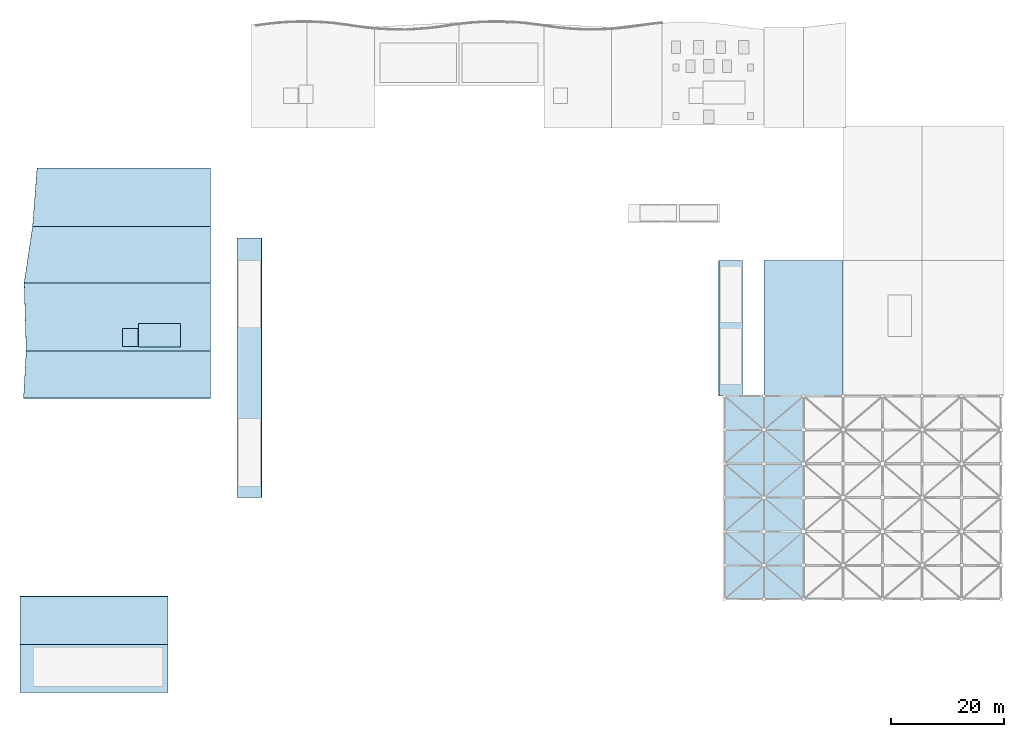
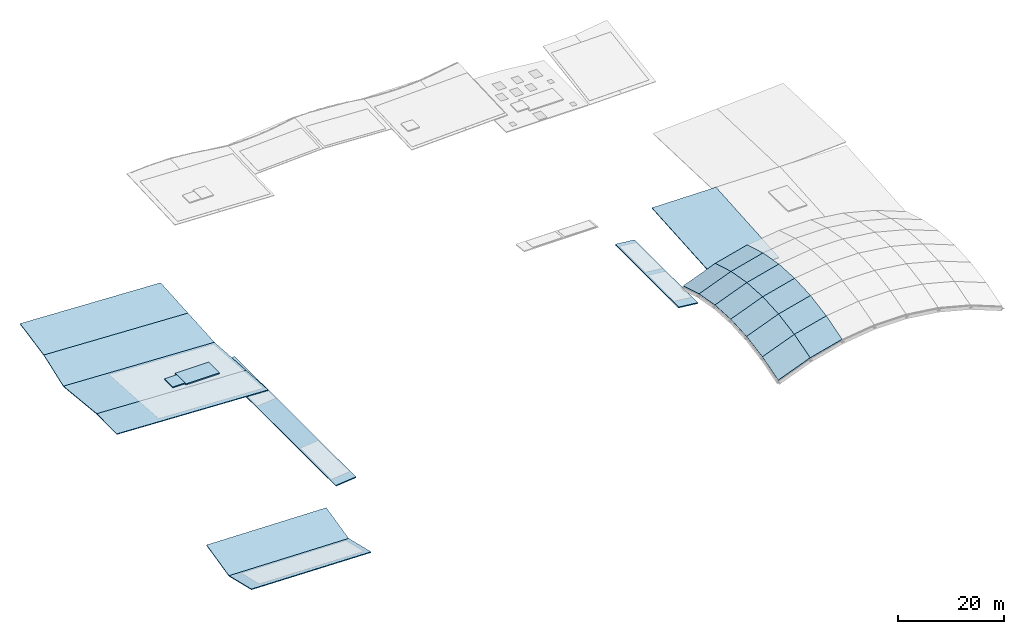
# One storey, part 3 of 11: 23 slabs.
"""IFC4 building model written with IfcOpenShell, lengths in metres."""

from ifc_helpers import new_model, si_unit, direction, frame, origin, place, context, subcontext, project, spatial, polyline, outline, extrude, material, layer, layer_set, type_object, element, save


model = new_model("IFC4")

# Units and contexts
model_context = context("Model", 3, precision=1e-05, world=origin(), true_north=direction((0.0, 1.0)))
body_context = subcontext(model_context, "Body", "Model", "MODEL_VIEW")
ifc_project = project(units=[si_unit("LENGTHUNIT", "METRE"), si_unit("AREAUNIT", "SQUARE_METRE"), si_unit("VOLUMEUNIT", "CUBIC_METRE"), si_unit("PLANEANGLEUNIT", "RADIAN"), si_unit("MASSUNIT", "GRAM", prefix="KILO")], contexts=[model_context])

# Site, building, storey
site_placement = place(None, origin())
site = spatial("IfcSite", under=ifc_project, at=site_placement, CompositionType="ELEMENT")
building_placement = place(site_placement, origin())
building = spatial("IfcBuilding", under=site, at=building_placement, Name="Tonlespit Floodbar School", CompositionType="ELEMENT")
storey_placement = place(building_placement, frame((0.0, 0.0, 24.0)))
storey = spatial("IfcBuildingStorey", under=building, at=storey_placement, Name="RF", CompositionType="ELEMENT", Elevation=24.0)

# Slabs
ifc_material = material(Name="CLT C24", Category="wood")
ifc_layer_1 = layer(ifc_material, 0.23193359375)
ifc_layer_set_1 = layer_set([ifc_layer_1], Name="CLT C24")
slab_type_1 = type_object("IfcSlabType", Name="Slab_Canopy_CLT_140", PredefinedType="ROOF", material=ifc_layer_set_1)
slab_1_placement = place(storey_placement, frame((40.60009765625, 38.0, -19.26806640625), z_axis=(-0.101733324516, 0.0, 0.994811706145), x_axis=(0.994811706145, 0.0, 0.101733324516)))
element("IfcSlab", 1, at=slab_1_placement, inside=storey, type_object=slab_type_1, Name="V5 west square raked colonnade canopy", PredefinedType="ROOF", context=body_context, shape_type="SweptSolid", body=[
    extrude(outline(polyline([(0.0, 0.0), (4.422849386041586, 0.0), (4.422849386041586, 46.0), (0.0, 46.0), (0.0, 0.0)])), origin(), (0.0, 0.0, -1.0), 0.23193359375),
])
slab_2_placement = place(storey_placement, frame((126.0, 56.0, -18.818115234375), z_axis=(0.106522919579, 0.0, 0.994310247159), x_axis=(0.994310247159, 0.0, -0.106522919579)))
element("IfcSlab", 2, at=slab_2_placement, inside=storey, type_object=slab_type_1, Name="V5 east hall raked colonnade canopy", PredefinedType="ROOF", context=body_context, shape_type="SweptSolid", body=[
    extrude(outline(polyline([(0.0, 0.0), (4.223984600256714, 0.0), (4.223984600256714, 24.0), (0.0, 24.0), (0.0, 0.0)])), origin(), (0.0, 0.0, -1.0), 0.23193359375),
])
ifc_layer_2 = layer(ifc_material, 0.14990234375)
ifc_layer_set_2 = layer_set([ifc_layer_2], Name="CLT C24")
slab_type_2 = type_object("IfcSlabType", Name="Slab_Gridshell_CLT_150", PredefinedType="ROOF", material=ifc_layer_set_2)
slab_3_placement = place(storey_placement, frame((127.0, 20.0, -14.25), z_axis=(-0.351697863242, -0.265946400844, 0.89754171205), x_axis=(0.931071633846, 0.0, 0.364836419024)))
element("IfcSlab", 3, at=slab_3_placement, inside=storey, type_object=slab_type_2, Name="Gridshell roof cassette 1-1", PredefinedType="ROOF", context=body_context, shape_type="SweptSolid", body=[
    extrude(outline(polyline([(0.0, 0.0), (7.518218518892542, 0.0), (8.166836390800507, 6.224145048725977), (0.6486178719079637, 6.224145048725977), (0.0, 0.0)])), origin(), (0.0, 0.0, -1.0), 0.14990234375),
])
slab_4_placement = place(storey_placement, frame((127.0, 26.0, -12.47216796875), z_axis=(-0.359939055521, -0.163299453123, 0.918573440134), x_axis=(0.931071633846, 0.0, 0.364836419024)))
element("IfcSlab", 4, at=slab_4_placement, inside=storey, type_object=slab_type_2, Name="Gridshell roof cassette 1-2", PredefinedType="ROOF", context=body_context, shape_type="SweptSolid", body=[
    extrude(outline(polyline([(0.0, 0.0), (7.518218518892542, 0.0), (7.907371427759048, 6.081636545317487), (0.38915290886650555, 6.081636545317487), (0.0, 0.0)])), origin(), (0.0, 0.0, -1.0), 0.14990234375),
])
slab_5_placement = place(storey_placement, frame((127.0, 32.0, -11.405517578125), z_axis=(-0.364282629132, -0.055077415163, 0.92965834824), x_axis=(0.931071633846, 0.0, 0.364836419024)))
element("IfcSlab", 5, at=slab_5_placement, inside=storey, type_object=slab_type_2, Name="Gridshell roof cassette 1-3", PredefinedType="ROOF", context=body_context, shape_type="SweptSolid", body=[
    extrude(outline(polyline([(0.0, 0.0), (7.518218518892542, 0.0), (7.64790646471759, 6.0091213225341225), (0.12968794582504742, 6.009121322534123), (0.0, 0.0)])), origin(), (0.0, 0.0, -1.0), 0.14990234375),
])
slab_6_placement = place(storey_placement, frame((127.0, 38.0, -11.050048828125), z_axis=(-0.364282629132, 0.055077415163, 0.92965834824), x_axis=(0.931071633846, 0.0, 0.364836419024)))
element("IfcSlab", 6, at=slab_6_placement, inside=storey, type_object=slab_type_2, Name="Gridshell roof cassette 1-4", PredefinedType="ROOF", context=body_context, shape_type="SweptSolid", body=[
    extrude(outline(polyline([(0.0, 0.0), (7.518218518892542, 0.0), (7.388530573067495, 6.009121322534123), (-0.12968794582504742, 6.009121322534123), (0.0, 0.0)])), origin(), (0.0, 0.0, -1.0), 0.14990234375),
])
slab_7_placement = place(storey_placement, frame((127.0, 44.0, -11.405517578125), z_axis=(-0.359939055521, 0.163299453123, 0.918573440134), x_axis=(0.931071633846, 0.0, 0.364836419024)))
element("IfcSlab", 7, at=slab_7_placement, inside=storey, type_object=slab_type_2, Name="Gridshell roof cassette 1-5", PredefinedType="ROOF", context=body_context, shape_type="SweptSolid", body=[
    extrude(outline(polyline([(0.0, 0.0), (7.518218518892542, 0.0), (7.129065610026037, 6.081636545317486), (-0.38915290886650555, 6.081636545317487), (0.0, 0.0)])), origin(), (0.0, 0.0, -1.0), 0.14990234375),
])
slab_8_placement = place(storey_placement, frame((127.0, 50.0, -12.47216796875), z_axis=(-0.351697863242, 0.265946400844, 0.89754171205), x_axis=(0.931071633846, 0.0, 0.364836419024)))
element("IfcSlab", 8, at=slab_8_placement, inside=storey, type_object=slab_type_2, Name="Gridshell roof cassette 1-6", PredefinedType="ROOF", context=body_context, shape_type="SweptSolid", body=[
    extrude(outline(polyline([(0.0, 0.0), (7.518218518892542, 0.0), (6.869600646984579, 6.224145048725977), (-0.6486178719079637, 6.224145048725977), (0.0, 0.0)])), origin(), (0.0, 0.0, -1.0), 0.14990234375),
])
slab_9_placement = place(storey_placement, frame((134.0, 20.0, -11.507080078125), z_axis=(-0.242947658876, -0.275567208463, 0.930074808102), x_axis=(0.967535741934, 4.324369e-06, 0.252734224159)))
element("IfcSlab", 9, at=slab_9_placement, inside=storey, type_object=slab_type_2, Name="Gridshell roof cassette 2-1", PredefinedType="ROOF", context=body_context, shape_type="SweptSolid", body=[
    extrude(outline(polyline([(0.0, 0.0), (7.234903352462547, 0.0), (7.684186595088001, 6.241631458513273), (0.44934494531689834, 6.241696551304507), (0.0, 0.0)])), origin(), (0.0, 0.0, -1.0), 0.14990234375),
])
slab_10_placement = place(storey_placement, frame((134.0, 26.0, -9.729248046875), z_axis=(-0.24905979837, -0.169515195922, 0.95353752689), x_axis=(0.967540180935, 0.0, 0.252717229877)))
element("IfcSlab", 10, at=slab_10_placement, inside=storey, type_object=slab_type_2, Name="Gridshell roof cassette 2-2", PredefinedType="ROOF", context=body_context, shape_type="SweptSolid", body=[
    extrude(outline(polyline([(0.0, 0.0), (7.234841650954761, 0.0), (7.504402582920284, 6.08810971975525), (0.26956093196552355, 6.08810971975525), (0.0, 0.0)])), origin(), (0.0, 0.0, -1.0), 0.14990234375),
])
slab_11_placement = place(storey_placement, frame((134.0, 32.0, -8.66259765625), z_axis=(-0.252318552432, -0.05724711933, 0.965949333778), x_axis=(0.967536068766, -9.33016e-07, 0.252732972991)))
element("IfcSlab", 11, at=slab_11_placement, inside=storey, type_object=slab_type_2, Name="Gridshell roof cassette 2-3", PredefinedType="ROOF", context=body_context, shape_type="SweptSolid", body=[
    extrude(outline(polyline([(0.0, 0.0), (7.234841649993879, 0.0), (7.324736428277722, 6.009862775096485), (0.08983307589785929, 6.009849252418702), (0.0, 0.0)])), origin(), (0.0, 0.0, -1.0), 0.14990234375),
])
slab_12_placement = place(storey_placement, frame((134.0, 38.0, -8.30712890625), z_axis=(-0.252318552432, 0.05724711933, 0.965949333778), x_axis=(0.967536041723, -9.33008e-07, 0.252733076517)))
element("IfcSlab", 12, at=slab_12_placement, inside=storey, type_object=slab_type_2, Name="Gridshell roof cassette 2-4", PredefinedType="ROOF", context=body_context, shape_type="SweptSolid", body=[
    extrude(outline(polyline([(0.0, 0.0), (7.2349033523925, -2.7755575615628914e-17), (7.144997341140815, 6.009862607064654), (-0.089844308840426, 6.009849084502197), (0.0, 0.0)])), origin(), (0.0, 0.0, -1.0), 0.14990234375),
])
slab_13_placement = place(storey_placement, frame((134.0, 44.0, -8.66259765625), z_axis=(-0.24905979837, 0.169515195922, 0.95353752689), x_axis=(0.967540180935, 0.0, 0.252717229877)))
element("IfcSlab", 13, at=slab_13_placement, inside=storey, type_object=slab_type_2, Name="Gridshell roof cassette 2-5", PredefinedType="ROOF", context=body_context, shape_type="SweptSolid", body=[
    extrude(outline(polyline([(0.0, 0.0), (7.234841650954761, 0.0), (6.965280718989238, 6.088109719755251), (-0.26956093196552355, 6.08810971975525), (0.0, 0.0)])), origin(), (0.0, 0.0, -1.0), 0.14990234375),
])
slab_14_placement = place(storey_placement, frame((134.0, 50.0, -9.729248046875), z_axis=(-0.242947658876, 0.275567208463, 0.930074808102), x_axis=(0.967536368538, 4.324406e-06, 0.252731825334)))
element("IfcSlab", 14, at=slab_14_placement, inside=storey, type_object=slab_type_2, Name="Gridshell roof cassette 2-6", PredefinedType="ROOF", context=body_context, shape_type="SweptSolid", body=[
    extrude(outline(polyline([(0.0, 0.0), (7.234841650063927, -5.551115123125783e-17), (6.785614564209377, 6.241635500519169), (-0.4492887879603456, 6.2417005938655485), (0.0, 0.0)])), origin(), (0.0, 0.0, -1.0), 0.14990234375),
])
ifc_layer_3 = layer(ifc_material, 0.169921875)
ifc_layer_set_3 = layer_set([ifc_layer_3], Name="CLT C24")
slab_type_3 = type_object("IfcSlabType", Name="Slab_Roof_CLT_170", PredefinedType="ROOF", material=ifc_layer_set_3)
slab_15_placement = place(storey_placement, frame((2.81494140625, 55.60009765625, -4.79345703125), z_axis=(0.042516019729, 0.065978385051, 0.996914861346), x_axis=(0.999091829939, 3.7473e-08, -0.04260886468)))
element("IfcSlab", 15, at=slab_15_placement, inside=storey, type_object=slab_type_3, Name="V2 folded butterfly roof bay 1", PredefinedType="ROOF", context=body_context, shape_type="SweptSolid", body=[
    extrude(outline(polyline([(0.0, 0.0), (33.17514900943934, 1.3877787807814457e-17), (33.19883594160837, 8.418244011890353), (0.5041053116351019, 8.418246485605742), (0.0, 0.0)])), origin(), (0.0, 0.0, -1.0), 0.169921875),
])
slab_16_placement = place(storey_placement, frame((3.294921875, 64.0, -5.369873046875), z_axis=(0.042513314844, 0.065963977644, 0.996915930114), x_axis=(0.999091946981, 1.43252e-07, -0.042606120201)))
element("IfcSlab", 16, at=slab_16_placement, inside=storey, type_object=slab_type_3, Name="V2 folded butterfly roof bay 2", PredefinedType="ROOF", context=body_context, shape_type="SweptSolid", body=[
    extrude(outline(polyline([(0.0, 0.0), (32.69473062990169, 1.3877787807814457e-17), (32.728559278340626, 12.026188289593017), (-0.3305097984655235, 12.026197729501156), (0.0, 0.0)])), origin(), (0.0, 0.0, -1.0), 0.169921875),
])
slab_17_placement = place(storey_placement, frame((2.930908203125, 76.0, -6.1484375), z_axis=(0.042505726737, -0.068410197243, 0.996751377279), x_axis=(0.999091972053, 1.07891e-07, -0.042605532269)))
element("IfcSlab", 17, at=slab_17_placement, inside=storey, type_object=slab_type_3, Name="V2 folded butterfly roof bay 3", PredefinedType="ROOF", context=body_context, shape_type="SweptSolid", body=[
    extrude(outline(polyline([(0.0, 0.0), (33.05906907684263, 0.0), (33.02983086102435, 10.023478657498933), (1.4630791942685102, 10.023485646416065), (0.0, 0.0)])), origin(), (0.0, 0.0, -1.0), 0.169921875),
])
slab_18_placement = place(storey_placement, frame((4.421875, 86.0, -5.525634765625), z_axis=(0.042509571743, -0.068401952602, 0.996751779126), x_axis=(0.999091808841, 1.48618e-07, -0.04260935937)))
element("IfcSlab", 18, at=slab_18_placement, inside=storey, type_object=slab_type_3, Name="V2 folded butterfly roof bay 4", PredefinedType="ROOF", context=body_context, shape_type="SweptSolid", body=[
    extrude(outline(polyline([(0.0, 0.0), (31.566751666725168, 2.7755575615628914e-17), (31.536346191478582, 10.42431302844168), (0.7635225956808792, 10.424322314975406), (0.0, 0.0)])), origin(), (0.0, 0.0, -1.0), 0.169921875),
])
slab_19_placement = place(storey_placement, frame((134.0, 56.0, -14.929931640625), z_axis=(0.009391330405, -0.072972666653, 0.997289723618), x_axis=(0.999955664391, 0.0, -0.009416435177)))
element("IfcSlab", 19, at=slab_19_placement, inside=storey, type_object=slab_type_3, Name="V3 foyer raked roof bay 1", PredefinedType="ROOF", context=body_context, shape_type="SweptSolid", body=[
    extrude(outline(polyline([(0.0, 0.0), (14.000620726039847, 1.734723475976807e-18), (13.98411207833386, 24.024010365938057), (-0.016508647705986396, 24.024010365938057), (0.0, 0.0)])), origin(), (0.0, 0.0, -1.0), 0.169921875),
])
slab_20_placement = place(storey_placement, frame((2.199951171875, 3.5, -8.8798828125), z_axis=(0.02033239968, 0.234411007916, 0.971924931716), x_axis=(0.999781254405, 0.0, -0.020915146216)))
element("IfcSlab", 20, at=slab_20_placement, inside=storey, type_object=slab_type_3, Name="V5 butterfly timber roof wing 1", PredefinedType="ROOF", context=body_context, shape_type="SweptSolid", body=[
    extrude(outline(polyline([(0.0, 0.0), (26.205683549726732, 0.0), (26.2485606207163, 8.743618344511614), (0.04287707098956673, 8.743618344511614), (0.0, 0.0)])), origin(), (0.0, 0.0, -1.0), 0.169921875),
])
slab_21_placement = place(storey_placement, frame((2.199951171875, 12.0, -10.929931640625), z_axis=(0.020381226814, -0.223564652909, 0.974475988192), x_axis=(0.999781346931, -1.01482e-06, -0.020910722809)))
element("IfcSlab", 21, at=slab_21_placement, inside=storey, type_object=slab_type_3, Name="V5 butterfly timber roof wing 2", PredefinedType="ROOF", context=body_context, shape_type="SweptSolid", body=[
    extrude(outline(polyline([(0.0, 0.0), (26.20568354945675, -4.163336342344337e-17), (26.16489492988618, 8.720756735012182), (-0.040783514413635494, 8.720702165737492), (0.0, 0.0)])), origin(), (0.0, 0.0, -1.0), 0.169921875),
])
ifc_layer_4 = layer(ifc_material, 0.24609375)
ifc_layer_set_4 = layer_set([ifc_layer_4], Name="CLT C24")
slab_type_4 = type_object("IfcSlabType", Name="Slab_Roof_CLT_246", PredefinedType="ROOF", material=ifc_layer_set_4)
slab_22_placement = place(storey_placement, frame((0.0, 0.0, -6.135009765625)))
element("IfcSlab", 22, at=slab_22_placement, inside=storey, type_object=slab_type_4, Name="Core C3 stair head roof slab", PredefinedType="ROOF", context=body_context, shape_type="SweptSolid", body=[
    extrude(outline(polyline([(23.199951171875, 64.699951171875), (30.60009765625, 64.699951171875), (30.60009765625, 68.800048828125), (23.199951171875, 68.800048828125), (23.199951171875, 64.699951171875)])), origin(), (0.0, 0.0, 1.0), 0.24609375),
])
slab_23_placement = place(storey_placement, frame((0.0, 0.0, -5.89404296875)))
element("IfcSlab", 23, at=slab_23_placement, inside=storey, type_object=slab_type_4, Name="Lift LG-1 overrun roof slab", PredefinedType="ROOF", context=body_context, shape_type="SweptSolid", body=[
    extrude(outline(polyline([(20.3798828125, 64.780029296875), (23.1201171875, 64.780029296875), (23.1201171875, 67.919921875), (20.3798828125, 67.919921875), (20.3798828125, 64.780029296875)])), origin(), (0.0, 0.0, 1.0), 0.24609375),
])

save(model, "model.ifc")
